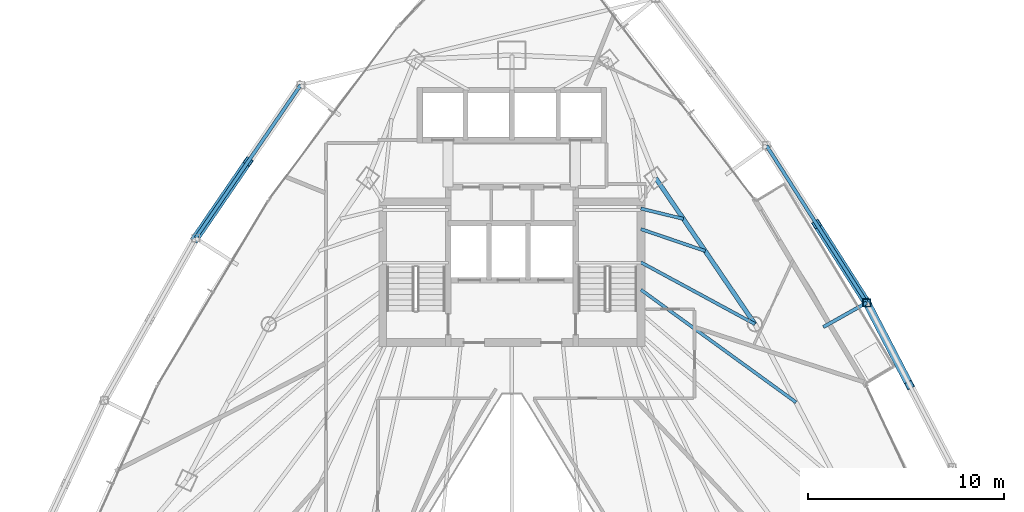
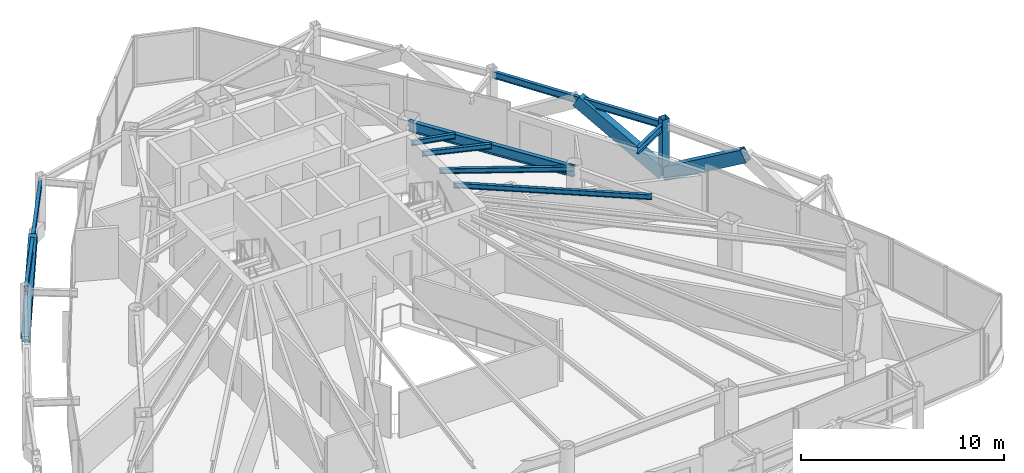
# One storey, part 19 of 31: 8 beams, 4 members.
"""IFC4 building model written with IfcOpenShell, lengths in metres."""

from ifc_helpers import new_model, si_unit, direction, frame, origin, origin_2d, place, context, subcontext, project, spatial, hollow_rectangle, i_section, extrude, material, material_profile, profile_set, type_object, element, save


model = new_model("IFC4")

# Units and contexts
model_context = context("Model", 3, precision=1e-05, world=origin(), true_north=direction((0.0, 1.0)))
body_context = subcontext(model_context, "Body", "Model", "MODEL_VIEW")
ifc_project = project(units=[si_unit("LENGTHUNIT", "METRE"), si_unit("AREAUNIT", "SQUARE_METRE"), si_unit("VOLUMEUNIT", "CUBIC_METRE"), si_unit("PLANEANGLEUNIT", "RADIAN"), si_unit("MASSUNIT", "GRAM", prefix="KILO")], contexts=[model_context])

# Site, building, storey
site_placement = place(None, origin())
site = spatial("IfcSite", under=ifc_project, at=site_placement, CompositionType="ELEMENT")
building_placement = place(site_placement, origin())
building = spatial("IfcBuilding", under=site, at=building_placement, Name="Orvanel Arch Residences", CompositionType="ELEMENT")
storey_placement = place(building_placement, frame((0.0, 0.0, 150.64990234375)))
storey = spatial("IfcBuildingStorey", under=building, at=storey_placement, Name="L42", CompositionType="ELEMENT", Elevation=150.64990234375)

# Beams
ifc_material_1 = material(Name="Structural steel AS/NZS 3679.1 Grade 300 (300 MPa)", Category="steel")
ifc_material_profile_1 = material_profile(ifc_material_1, i_section(OverallWidth=0.1650390625, OverallDepth=0.303955078125, WebThickness=0.006103515625, FlangeThickness=0.01025390625, at=origin_2d()), Name="310UB40.4")
ifc_profile_set_1 = profile_set([ifc_material_profile_1], Name="Structural steel AS/NZS 3679.1 Grade 300 (300 MPa)")
beam_type_1 = type_object("IfcBeamType", Name="BJ-310UB", PredefinedType="JOIST", material=ifc_profile_set_1)
beam_1_placement = place(storey_placement, frame((39.60009765625, 30.800048828125, 2.908203125), z_axis=(0.87925534649, -0.476350748576, 0.0), x_axis=(0.476350748576, 0.87925534649, 0.0)))
element("IfcBeam", 1, at=beam_1_placement, inside=storey, type_object=beam_type_1, Name="L42 NE Wing Floor Joist", PredefinedType="JOIST", context=body_context, shape_type="SweptSolid", body=[
    extrude(i_section(OverallWidth=0.1650390625, OverallDepth=0.303955078125, WebThickness=0.006103515625, FlangeThickness=0.01025390625, at=origin_2d()), origin(), (0.0, 0.0, 1.0), 6.631591796875),
])
beam_2_placement = place(storey_placement, frame((39.60009765625, 32.5, 2.908203125), z_axis=(0.9464126781, -0.322959815969, 0.0), x_axis=(0.322959815969, 0.9464126781, 0.0)))
element("IfcBeam", 2, at=beam_2_placement, inside=storey, type_object=beam_type_1, Name="L42 ENE Wing Floor Joist", PredefinedType="JOIST", context=body_context, shape_type="SweptSolid", body=[
    extrude(i_section(OverallWidth=0.1650390625, OverallDepth=0.303955078125, WebThickness=0.006103515625, FlangeThickness=0.01025390625, at=origin_2d()), origin(), (0.0, 0.0, 1.0), 3.477294921875),
])
beam_3_placement = place(storey_placement, frame((39.60009765625, 29.39990234375, 2.908203125), z_axis=(0.809261403954, -0.587448704203, 0.0), x_axis=(0.587448704203, 0.809261403954, 0.0)))
element("IfcBeam", 3, at=beam_3_placement, inside=storey, type_object=beam_type_1, Name="L42 CTE Wing Floor Joist", PredefinedType="JOIST", context=body_context, shape_type="SweptSolid", body=[
    extrude(i_section(OverallWidth=0.1650390625, OverallDepth=0.303955078125, WebThickness=0.006103515625, FlangeThickness=0.01025390625, at=origin_2d()), origin(), (0.0, 0.0, 1.0), 9.80126953125),
])
beam_4_placement = place(storey_placement, frame((39.60009765625, 33.550048828125, 2.908203125), z_axis=(0.971638471014, -0.236471312521, 0.0), x_axis=(0.236471312521, 0.971638471014, 0.0)))
element("IfcBeam", 4, at=beam_4_placement, inside=storey, type_object=beam_type_1, Name="L42 JADD4 Wing Floor Joist", PredefinedType="JOIST", context=body_context, shape_type="SweptSolid", body=[
    extrude(i_section(OverallWidth=0.1650390625, OverallDepth=0.303955078125, WebThickness=0.006103515625, FlangeThickness=0.01025390625, at=origin_2d()), origin(), (0.0, 0.0, 1.0), 2.2373046875),
])

# Members
ifc_material_2 = material(Name="Structural steel AS/NZS 3678 Grade 350", Category="steel")
ifc_material_profile_2 = material_profile(ifc_material_2, hollow_rectangle(XDim=0.419921875, YDim=0.719970703125, WallThickness=0.02490234375, at=origin_2d()), Name="RHS720x420x25")
ifc_profile_set_2 = profile_set([ifc_material_profile_2], Name="Structural steel AS/NZS 3678 Grade 350")
member_type_1 = type_object("IfcMemberType", Name="BR-720RHS-EXT", PredefinedType="BRACE", material=ifc_profile_set_2)
member_1_placement = place(storey_placement, frame((16.8330078125, 32.0419921875, 0.0), z_axis=(0.484731924495, 0.70652255419, 0.515616952587), x_axis=(-0.824587668142, 0.565734193371, 0.0)))
element("IfcMember", 5, at=member_1_placement, inside=storey, type_object=member_type_1, Name="L42 Exterior Sky-Garden V-Frame Chevron F1B1.2", PredefinedType="BRACE", context=body_context, shape_type="SweptSolid", body=[
    extrude(hollow_rectangle(XDim=0.419921875, YDim=0.719970703125, WallThickness=0.02490234375, at=origin_2d()), origin(), (0.0, 0.0, 1.0), 5.541259765625),
])
member_2_placement = place(storey_placement, frame((51.14892578125, 28.738037109375, 0.0), z_axis=(0.395083268255, -0.760246668213, 0.515688098191), x_axis=(0.887333819621, 0.461127631526, 0.0)))
element("IfcMember", 6, at=member_2_placement, inside=storey, type_object=member_type_1, Name="L42 Exterior Sky-Garden V-Frame Chevron F3B1.2", PredefinedType="BRACE", context=body_context, shape_type="SweptSolid", body=[
    extrude(hollow_rectangle(XDim=0.419921875, YDim=0.719970703125, WallThickness=0.02490234375, at=origin_2d()), origin(), (0.0, 0.0, 1.0), 5.54052734375),
])
member_3_placement = place(storey_placement, frame((51.14892578125, 28.738037109375, 0.0), z_axis=(-0.461372415703, 0.722910541618, 0.514330480184), x_axis=(-0.842953856013, -0.537985870291, 0.0)))
element("IfcMember", 7, at=member_3_placement, inside=storey, type_object=member_type_1, Name="L42 Exterior Sky-Garden V-Frame Chevron F3B2.1", PredefinedType="BRACE", context=body_context, shape_type="SweptSolid", body=[
    extrude(hollow_rectangle(XDim=0.419921875, YDim=0.719970703125, WallThickness=0.02490234375, at=origin_2d()), origin(), (0.0, 0.0, 1.0), 5.55517578125),
])

# Beams
ifc_material_profile_3 = material_profile(ifc_material_1, i_section(OverallWidth=0.177978515625, OverallDepth=0.406005859375, WebThickness=0.0078125, FlangeThickness=0.0126953125, at=origin_2d()), Name="410UB59.7")
ifc_profile_set_3 = profile_set([ifc_material_profile_3], Name="Structural steel AS/NZS 3679.1 Grade 300 (300 MPa)")
beam_type_2 = type_object("IfcBeamType", Name="OB-410UB-EXT", PredefinedType="SPANDREL", material=ifc_profile_set_3)
beam_5_placement = place(storey_placement, frame((22.205078125, 39.8720703125, 2.857177734375), z_axis=(-0.565734193371, -0.824587668142, 0.0), x_axis=(0.824587668142, -0.565734193371, 0.0)))
element("IfcBeam", 8, at=beam_5_placement, inside=storey, type_object=beam_type_2, Name="L42 Outer Perimeter Floor Ring Beam 01", PredefinedType="SPANDREL", context=body_context, shape_type="SweptSolid", body=[
    extrude(i_section(OverallWidth=0.177978515625, OverallDepth=0.406005859375, WebThickness=0.0078125, FlangeThickness=0.0126953125, at=origin_2d()), origin(), (0.0, 0.0, 1.0), 9.495849609375),
])
beam_6_placement = place(storey_placement, frame((48.926025390625, 27.489013671875, 2.857177734375), z_axis=(0.871803026856, 0.489856593673, 0.0), x_axis=(-0.489856593673, 0.871803026856, 0.0)))
element("IfcBeam", 9, at=beam_6_placement, inside=storey, type_object=beam_type_2, Name="L42 Outer Frame Radial Tie Beam 10", PredefinedType="SPANDREL", context=body_context, shape_type="SweptSolid", body=[
    extrude(i_section(OverallWidth=0.177978515625, OverallDepth=0.406005859375, WebThickness=0.0078125, FlangeThickness=0.0126953125, at=origin_2d()), origin(), (0.0, 0.0, 1.0), 2.5498046875),
])
beam_7_placement = place(storey_placement, frame((51.14892578125, 28.738037109375, 2.857177734375), z_axis=(-0.537974250415, 0.842961271881, 0.0), x_axis=(-0.842961271881, -0.537974250415, 0.0)))
element("IfcBeam", 10, at=beam_7_placement, inside=storey, type_object=beam_type_2, Name="L42 Outer Perimeter Floor Ring Beam 10", PredefinedType="SPANDREL", context=body_context, shape_type="SweptSolid", body=[
    extrude(i_section(OverallWidth=0.177978515625, OverallDepth=0.406005859375, WebThickness=0.0078125, FlangeThickness=0.0126953125, at=origin_2d()), origin(), (0.0, 0.0, 1.0), 9.5283203125),
])
ifc_material_profile_4 = material_profile(ifc_material_1, i_section(OverallWidth=0.22900390625, OverallDepth=0.612060546875, WebThickness=0.011962890625, FlangeThickness=0.01953125, at=origin_2d()), Name="610UB125")
ifc_profile_set_4 = profile_set([ifc_material_profile_4], Name="Structural steel AS/NZS 3679.1 Grade 300 (300 MPa)")
beam_type_3 = type_object("IfcBeamType", Name="SP-610UB", PredefinedType="SPANDREL", material=ifc_profile_set_4)
beam_8_placement = place(storey_placement, frame((45.430908203125, 27.64111328125, 2.754150390625), z_axis=(-0.562154793153, 0.827032035978, 0.0), x_axis=(-0.827032035978, -0.562154793153, 0.0)))
element("IfcBeam", 11, at=beam_8_placement, inside=storey, type_object=beam_type_3, Name="L42 Perimeter Spandrel Beam 12", PredefinedType="SPANDREL", context=body_context, shape_type="SweptSolid", body=[
    extrude(i_section(OverallWidth=0.22900390625, OverallDepth=0.612060546875, WebThickness=0.011962890625, FlangeThickness=0.01953125, at=origin_2d()), origin(), (0.0, 0.0, 1.0), 9.03466796875),
])

# Member
ifc_material_3 = material(Name="Structural steel AS/NZS 1163 C450L0 (Grade 450)", Category="steel")
ifc_material_profile_5 = material_profile(ifc_material_3, hollow_rectangle(XDim=0.39990234375, YDim=0.39990234375, WallThickness=0.01611328125, at=origin_2d()), Name="SHS400x400x16")
ifc_profile_set_5 = profile_set([ifc_material_profile_5], Name="Structural steel AS/NZS 1163 C450L0 (Grade 450)")
member_type_2 = type_object("IfcMemberType", Name="ST-400SHS-EXT", PredefinedType="STRUT", material=ifc_profile_set_5)
member_4_placement = place(storey_placement, frame((51.14892578125, 28.738037109375, 0.0), z_axis=(0.0, 0.0, 1.0), x_axis=(1.0, 0.0, 0.0)))
element("IfcMember", 12, at=member_4_placement, inside=storey, type_object=member_type_2, Name="L42 Outer Perimeter Frame Post 10", PredefinedType="STRUT", context=body_context, shape_type="SweptSolid", body=[
    extrude(hollow_rectangle(XDim=0.39990234375, YDim=0.39990234375, WallThickness=0.01611328125, at=origin_2d()), origin(), (0.0, 0.0, 1.0), 3.300048828125),
])

save(model, "model.ifc")
